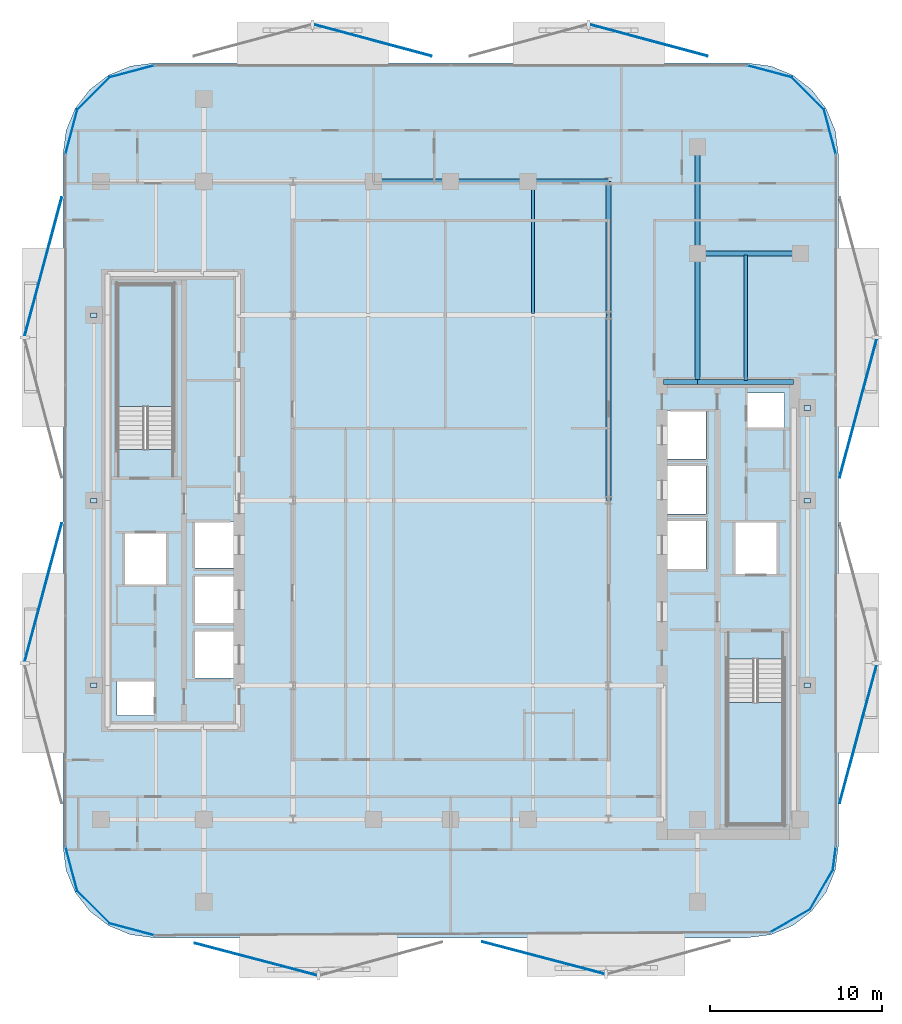
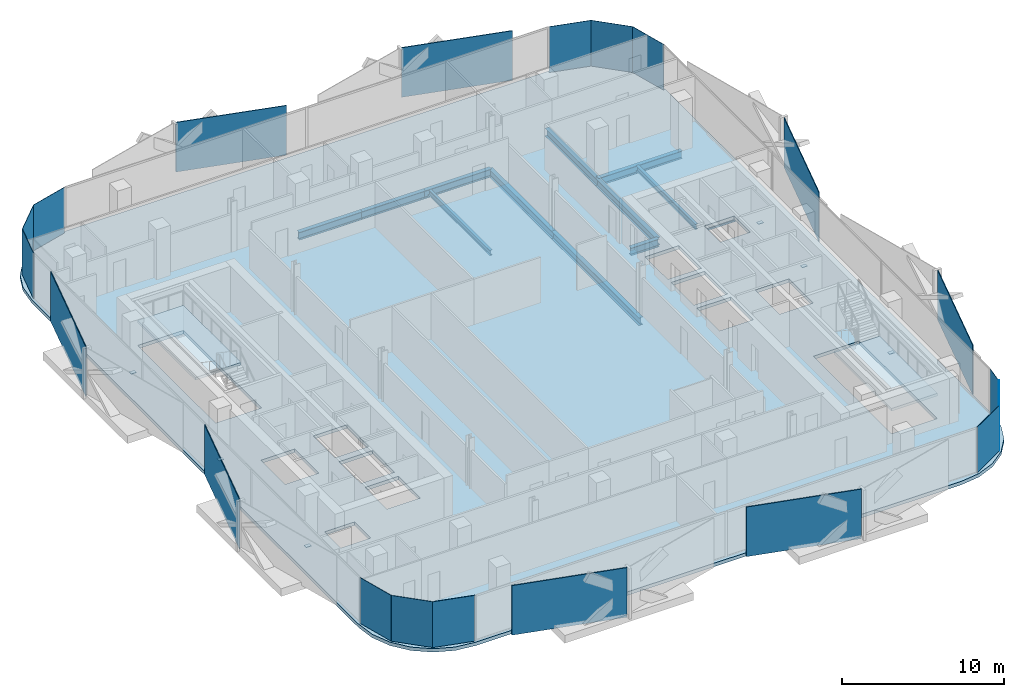
# One storey, part 2 of 17: 26 plates, 12 beams, 3 slabs, 2 elements without a shape of their own.
"""IFC4 building model written with IfcOpenShell, lengths in metres."""

import ifcopenshell
import ifcopenshell.guid

model = None  # the IFC model being written
_history = None  # IfcOwnerHistory: only IFC2X3 demands one
_inside = {}  # id of a spatial element -> (the spatial element, [elements in it])
_under = {}  # id of a project, library or spatial element -> (it, [spatial elements below it])
_declared = {}  # id of a project -> (the project, [libraries it declares])
_typed = {}  # id of a type object -> (the type object, [elements of that type])
_made_of = {}  # id of a material, layer set ... -> (it, [elements and type objects made of it])


def new_model(schema):
    """Start an empty IFC model of exactly this schema.

    Asked for "IFC4X3", IfcOpenShell would pick the latest addendum, in which some entities
    have other attributes; the version numbers below select the first issue.
    IFC2X3 requires an IfcOwnerHistory on every rooted entity: one is made here for all.
    """
    global model, _history
    if schema == "IFC4X3":
        model = ifcopenshell.file(schema_version=(4, 3, 0, 0))
    else:
        model = ifcopenshell.file(schema=schema)
    _inside.clear()
    _under.clear()
    _declared.clear()
    _typed.clear()
    _made_of.clear()
    _history = None
    if model.schema == "IFC2X3":
        org = make("IfcOrganization", Name="unknown")
        user = make(
            "IfcPersonAndOrganization",
            ThePerson=make("IfcPerson", FamilyName="unknown"),
            TheOrganization=org,
        )
        app = make(
            "IfcApplication",
            ApplicationDeveloper=org,
            Version="unknown",
            ApplicationFullName="unknown",
            ApplicationIdentifier="unknown",
        )
        _history = make(
            "IfcOwnerHistory",
            OwningUser=user,
            OwningApplication=app,
            ChangeAction="ADDED",
            CreationDate=0,
        )
    return model


def make(cls, **values):
    """One entity of the class cls with the attributes given. An attribute that is None is left unset."""
    return model.create_entity(
        cls, **{name: value for name, value in values.items() if value is not None}
    )


def rooted(cls, **values):
    """An entity with a GlobalId (a new one), such as an element, a storey or a relation."""
    return make(cls, GlobalId=ifcopenshell.guid.new(), OwnerHistory=_history, **values)


def si_unit(unit_type, name, prefix=None):
    """IfcSIUnit, for example si_unit("LENGTHUNIT", "METRE", prefix="MILLI")."""
    return make("IfcSIUnit", UnitType=unit_type, Prefix=prefix, Name=name)


def assignment(units):
    """IfcUnitAssignment: the units of a project."""
    return None if units is None else make("IfcUnitAssignment", Units=units)


def point(xyz):
    """IfcCartesianPoint."""
    return None if xyz is None else make("IfcCartesianPoint", Coordinates=xyz)


def direction(xyz):
    """IfcDirection."""
    return None if xyz is None else make("IfcDirection", DirectionRatios=xyz)


def frame(location, z_axis=None, x_axis=None):
    """IfcAxis2Placement3D, a coordinate frame: its origin and axes. An axis left out is left unset."""
    return make(
        "IfcAxis2Placement3D",
        Location=point(location),
        Axis=direction(z_axis),
        RefDirection=direction(x_axis),
    )


def frame_2d(location, x_axis=None):
    """IfcAxis2Placement2D, a coordinate frame in the plane: its origin and x axis."""
    return make(
        "IfcAxis2Placement2D", Location=point(location), RefDirection=direction(x_axis)
    )


def origin():
    """The frame at (0, 0, 0) with its axes left unset."""
    return frame((0.0, 0.0, 0.0))


def origin_2d():
    """The frame at (0, 0) in the plane with its x axis left unset."""
    return frame_2d((0.0, 0.0))


def place(relative_to, where):
    """IfcLocalPlacement: puts the frame where relative to a parent placement (None: the world)."""
    return make(
        "IfcLocalPlacement", PlacementRelTo=relative_to, RelativePlacement=where
    )


def context(
    kind, dimensions, precision=None, world=None, true_north=None, identifier=None
):
    """IfcGeometricRepresentationContext, for example the 3D "Model" context."""
    return make(
        "IfcGeometricRepresentationContext",
        ContextIdentifier=identifier,
        ContextType=kind,
        CoordinateSpaceDimension=dimensions,
        Precision=precision,
        WorldCoordinateSystem=world,
        TrueNorth=true_north,
    )


def subcontext(parent, identifier, kind, view, scale=None):
    """IfcGeometricRepresentationSubContext, for example "Body" below "Model"."""
    return make(
        "IfcGeometricRepresentationSubContext",
        ContextIdentifier=identifier,
        ContextType=kind,
        ParentContext=parent,
        TargetScale=scale,
        TargetView=view,
    )


def project(units=None, contexts=None):
    """IfcProject with its units and contexts."""
    return rooted(
        "IfcProject",
        Name="project",
        RepresentationContexts=contexts,
        UnitsInContext=assignment(units),
    )


def spatial(cls, under=None, at=None, **own):
    """A site, building, storey or space (cls), placed at a placement, below another one or the project."""
    s = rooted(cls, ObjectPlacement=at, **own)
    if under is not None:
        _under.setdefault(under.id(), (under, []))[1].append(s)
    return s


def polyline(points):
    """IfcPolyline through the points."""
    return make("IfcPolyline", Points=[point(p) for p in points])


def profile(cls, at=None, kind="AREA", **sizes):
    """A parametric profile (cls). Its sizes go by their IFC names, for example OverallWidth=200.0."""
    return make(cls, ProfileType=kind, Position=at, **sizes)


def rectangle(**sizes):
    """IfcRectangleProfileDef."""
    return profile("IfcRectangleProfileDef", **sizes)


def i_section(**sizes):
    """IfcIShapeProfileDef."""
    return profile("IfcIShapeProfileDef", **sizes)


def outline(outer, holes=None, kind="AREA"):
    """IfcArbitraryClosedProfileDef: a profile drawn as a closed curve; with holes, ...WithVoids."""
    if holes is None:
        return make("IfcArbitraryClosedProfileDef", ProfileType=kind, OuterCurve=outer)
    return make(
        "IfcArbitraryProfileDefWithVoids",
        ProfileType=kind,
        OuterCurve=outer,
        InnerCurves=holes,
    )


def extrude(swept, where, along, depth):
    """IfcExtrudedAreaSolid: the profile swept, set in the frame where, extruded along a direction by depth."""
    return make(
        "IfcExtrudedAreaSolid",
        SweptArea=swept,
        Position=where,
        ExtrudedDirection=direction(along),
        Depth=depth,
    )


def shape(context_of_items, identifier, shape_type, items):
    """IfcShapeRepresentation: the items that make up one representation, for example the "Body"."""
    return make(
        "IfcShapeRepresentation",
        ContextOfItems=context_of_items,
        RepresentationIdentifier=identifier,
        RepresentationType=shape_type,
        Items=items,
    )


def material(Name=None, Category=None):
    """IfcMaterial."""
    return make("IfcMaterial", Name=Name, Category=Category)


def layer(
    of_material, thickness, ventilated=None, Name=None, Category=None, Priority=None
):
    """IfcMaterialLayer: one layer of a wall or slab, of a material (None: an air gap)."""
    return make(
        "IfcMaterialLayer",
        Material=of_material,
        LayerThickness=thickness,
        IsVentilated=ventilated,
        Name=Name,
        Category=Category,
        Priority=Priority,
    )


def layer_set(layers, Name=None):
    """IfcMaterialLayerSet."""
    return make("IfcMaterialLayerSet", MaterialLayers=layers, LayerSetName=Name)


def material_profile(
    of_material, cross_section, Name=None, Category=None, Priority=None
):
    """IfcMaterialProfile: a cross section and its material."""
    return make(
        "IfcMaterialProfile",
        Name=Name,
        Material=of_material,
        Profile=cross_section,
        Priority=Priority,
        Category=Category,
    )


def profile_set(profiles, Name=None, composite=None):
    """IfcMaterialProfileSet."""
    return make(
        "IfcMaterialProfileSet",
        Name=Name,
        MaterialProfiles=profiles,
        CompositeProfile=composite,
    )


def made_of(thing, what):
    """Note that an element or type object is made of a material, layer set ...; save() writes the relation."""
    if what is not None:
        _made_of.setdefault(what.id(), (what, []))[1].append(thing)
    return thing


def type_object(cls, material=None, **own):
    """A type object (cls), such as IfcWallType, which elements share."""
    return made_of(rooted(cls, **own), material)


def element(
    cls,
    number,
    at=None,
    inside=None,
    cuts=None,
    type_object=None,
    material=None,
    context=None,
    identifier="Body",
    shape_type=None,
    held_by="IfcProductDefinitionShape",
    body=None,
    shapes=None,
    **own,
):
    """One element of the class cls, such as IfcWall. Its Tag is "e" and its number.

    at: its placement. inside: the storey or other place that contains it. cuts: it is an
    opening in that element (IfcRelVoidsElement). A single representation is given by context,
    identifier, shape_type and body (its items); several are given by shapes. held_by: the class
    of the entity that holds the representations. save() writes the other relations.
    """
    e = rooted(cls, Tag="e%d" % number, ObjectPlacement=at, **own)
    if body is not None:
        shapes = [shape(context, identifier, shape_type, body)]
    if shapes is not None:
        e.Representation = make(held_by, Representations=shapes)
    if inside is not None:
        _inside.setdefault(inside.id(), (inside, []))[1].append(e)
    if cuts is not None:
        rooted(
            "IfcRelVoidsElement", RelatingBuildingElement=cuts, RelatedOpeningElement=e
        )
    if type_object is not None:
        _typed.setdefault(type_object.id(), (type_object, []))[1].append(e)
    return made_of(e, material)


def aggregate(whole, parts):
    """IfcRelAggregates: a whole, such as a stair, and the parts it consists of."""
    return rooted("IfcRelAggregates", RelatingObject=whole, RelatedObjects=parts)


def save(model, path):
    """Write the relations noted so far, then the file.

    IfcRelAggregates (storeys below a building ...), IfcRelContainedInSpatialStructure (elements
    in a storey), IfcRelDefinesByType, IfcRelAssociatesMaterial and IfcRelDeclares: one each for
    every whole, place, type object, material and project.
    """
    for whole, parts in _under.values():
        aggregate(whole, parts)
    for where, things in _inside.values():
        rooted(
            "IfcRelContainedInSpatialStructure",
            RelatedElements=things,
            RelatingStructure=where,
        )
    for kind, things in _typed.values():
        rooted("IfcRelDefinesByType", RelatedObjects=things, RelatingType=kind)
    for what, things in _made_of.values():
        rooted("IfcRelAssociatesMaterial", RelatedObjects=things, RelatingMaterial=what)
    for by, libraries in _declared.values():
        rooted("IfcRelDeclares", RelatingContext=by, RelatedDefinitions=libraries)
    model.write(path)


model = new_model("IFC4")

# Units and contexts
model_context = context("Model", 3, precision=1e-05, world=origin(), true_north=direction((0.0, 1.0)))
body_context = subcontext(model_context, "Body", "Model", "MODEL_VIEW")
ifc_project = project(units=[si_unit("LENGTHUNIT", "METRE"), si_unit("AREAUNIT", "SQUARE_METRE"), si_unit("VOLUMEUNIT", "CUBIC_METRE"), si_unit("PLANEANGLEUNIT", "RADIAN"), si_unit("MASSUNIT", "GRAM", prefix="KILO")], contexts=[model_context])

# Site, building, storey
site_placement = place(None, origin())
site = spatial("IfcSite", under=ifc_project, at=site_placement, CompositionType="ELEMENT")
building_placement = place(site_placement, origin())
building = spatial("IfcBuilding", under=site, at=building_placement, Name="Khairoan Windgate Tower", CompositionType="ELEMENT")
storey_placement = place(building_placement, frame((0.0, 0.0, 210.60009765625)))
storey = spatial("IfcBuildingStorey", under=building, at=storey_placement, Name="L49", CompositionType="ELEMENT", Elevation=210.60009765625)

# Beams
ifc_material_1 = material(Name="Steel S355", Category="steel")
ifc_material_profile_1 = material_profile(ifc_material_1, i_section(OverallWidth=0.300048828125, OverallDepth=0.587890625, WebThickness=0.011962890625, FlangeThickness=0.02001953125, FilletRadius=0.02392578125, at=origin_2d()))
ifc_profile_set_1 = profile_set([ifc_material_profile_1], Name="Steel S355")
beam_type_1 = type_object("IfcBeamType", Name="Beam B-G4 H588x300x12x20", PredefinedType="BEAM", material=ifc_profile_set_1)
beam_1_placement = place(storey_placement, frame((12.39990234375, 6.89990234375, -0.55419921875), z_axis=(1.0, 0.0, 0.0), x_axis=(0.0, 1.0, 0.0)))
element("IfcBeam", 1, at=beam_1_placement, inside=storey, type_object=beam_type_1, Name="L49 E-W Primary Girder 15", PredefinedType="BEAM", context=body_context, shape_type="SweptSolid", body=[
    extrude(i_section(OverallWidth=0.300048828125, OverallDepth=0.587890625, WebThickness=0.011962890625, FlangeThickness=0.02001953125, FilletRadius=0.02392578125, at=origin_2d()), origin(), (0.0, 0.0, 1.0), 2.0),
])
beam_2_placement = place(storey_placement, frame((14.39990234375, 6.89990234375, -0.55419921875), z_axis=(1.0, 0.0, 0.0), x_axis=(0.0, 1.0, 0.0)))
element("IfcBeam", 2, at=beam_2_placement, inside=storey, type_object=beam_type_1, Name="L49 E-W Primary Girder 16", PredefinedType="BEAM", context=body_context, shape_type="SweptSolid", body=[
    extrude(i_section(OverallWidth=0.300048828125, OverallDepth=0.587890625, WebThickness=0.011962890625, FlangeThickness=0.02001953125, FilletRadius=0.02392578125, at=origin_2d()), origin(), (0.0, 0.0, 1.0), 5.60009765625),
])
beam_3_placement = place(storey_placement, frame((14.39990234375, 14.39990234375, -0.55419921875), z_axis=(1.0, 0.0, 0.0), x_axis=(0.0, 1.0, 0.0)))
element("IfcBeam", 3, at=beam_3_placement, inside=storey, type_object=beam_type_1, Name="L49 E-W Primary Girder 21", PredefinedType="BEAM", context=body_context, shape_type="SweptSolid", body=[
    extrude(i_section(OverallWidth=0.300048828125, OverallDepth=0.587890625, WebThickness=0.011962890625, FlangeThickness=0.02001953125, FilletRadius=0.02392578125, at=origin_2d()), origin(), (0.0, 0.0, 1.0), 6.0),
])
for number, where, z_axis, x_axis, name in (
    (4, (-4.5, 18.60009765625, -0.55419921875), (1.0, 0.0, 0.0), (0.0, 1.0, 0.0), "L49 E-W Primary Girder 25"),
    (5, (0.0, 18.60009765625, -0.55419921875), (1.0, 0.0, 0.0), (0.0, 1.0, 0.0), "L49 E-W Primary Girder 26"),
):
    element("IfcBeam", number, at=place(storey_placement, frame(where, z_axis=z_axis, x_axis=x_axis)), inside=storey, type_object=beam_type_1, Name=name, PredefinedType="BEAM", context=body_context, shape_type="SweptSolid", body=[
        extrude(i_section(OverallWidth=0.300048828125, OverallDepth=0.587890625, WebThickness=0.011962890625, FlangeThickness=0.02001953125, FilletRadius=0.02392578125, at=origin_2d()), origin(), (0.0, 0.0, 1.0), 4.5),
    ])
beam_4_placement = place(storey_placement, frame((4.5, 18.60009765625, -0.55419921875), z_axis=(1.0, 0.0, 0.0), x_axis=(0.0, 1.0, 0.0)))
element("IfcBeam", 6, at=beam_4_placement, inside=storey, type_object=beam_type_1, Name="L49 E-W Primary Girder 27", PredefinedType="BEAM", context=body_context, shape_type="SweptSolid", body=[
    extrude(i_section(OverallWidth=0.300048828125, OverallDepth=0.587890625, WebThickness=0.011962890625, FlangeThickness=0.02001953125, FilletRadius=0.02392578125, at=origin_2d()), origin(), (0.0, 0.0, 1.0), 4.699951171875),
])
beam_5_placement = place(storey_placement, frame((9.199951171875, 0.0, -0.55419921875), z_axis=(0.0, 1.0, 0.0), x_axis=(-1.0, 0.0, 0.0)))
element("IfcBeam", 7, at=beam_5_placement, inside=storey, type_object=beam_type_1, Name="L49 N-S Primary Beam 47", PredefinedType="BEAM", context=body_context, shape_type="SweptSolid", body=[
    extrude(i_section(OverallWidth=0.300048828125, OverallDepth=0.587890625, WebThickness=0.011962890625, FlangeThickness=0.02001953125, FilletRadius=0.02392578125, at=origin_2d()), origin(), (0.0, 0.0, 1.0), 10.800048828125),
])
beam_6_placement = place(storey_placement, frame((9.199951171875, 10.800048828125, -0.55419921875), z_axis=(0.0, 1.0, 0.0), x_axis=(-1.0, 0.0, 0.0)))
element("IfcBeam", 8, at=beam_6_placement, inside=storey, type_object=beam_type_1, Name="L49 N-S Primary Beam 48", PredefinedType="BEAM", context=body_context, shape_type="SweptSolid", body=[
    extrude(i_section(OverallWidth=0.300048828125, OverallDepth=0.587890625, WebThickness=0.011962890625, FlangeThickness=0.02001953125, FilletRadius=0.02392578125, at=origin_2d()), origin(), (0.0, 0.0, 1.0), 7.800048828125),
])
beam_7_placement = place(storey_placement, frame((14.39990234375, 6.89990234375, -0.55419921875), z_axis=(0.0, 1.0, 0.0), x_axis=(-1.0, 0.0, 0.0)))
element("IfcBeam", 9, at=beam_7_placement, inside=storey, type_object=beam_type_1, Name="L49 N-S Primary Beam 51", PredefinedType="BEAM", context=body_context, shape_type="SweptSolid", body=[
    extrude(i_section(OverallWidth=0.300048828125, OverallDepth=0.587890625, WebThickness=0.011962890625, FlangeThickness=0.02001953125, FilletRadius=0.02392578125, at=origin_2d()), origin(), (0.0, 0.0, 1.0), 7.5),
])
beam_8_placement = place(storey_placement, frame((14.39990234375, 14.39990234375, -0.55419921875), z_axis=(0.0, 1.0, 0.0), x_axis=(-1.0, 0.0, 0.0)))
element("IfcBeam", 10, at=beam_8_placement, inside=storey, type_object=beam_type_1, Name="L49 N-S Primary Beam 52", PredefinedType="BEAM", context=body_context, shape_type="SweptSolid", body=[
    extrude(i_section(OverallWidth=0.300048828125, OverallDepth=0.587890625, WebThickness=0.011962890625, FlangeThickness=0.02001953125, FilletRadius=0.02392578125, at=origin_2d()), origin(), (0.0, 0.0, 1.0), 6.2001953125),
])
ifc_material_2 = material(Name="Steel S355", Category="steel")
ifc_material_profile_2 = material_profile(ifc_material_2, i_section(OverallWidth=0.199951171875, OverallDepth=0.39990234375, WebThickness=0.008056640625, FlangeThickness=0.012939453125, FilletRadius=0.01611328125, at=origin_2d()))
ifc_profile_set_2 = profile_set([ifc_material_profile_2], Name="Steel S355")
beam_type_2 = type_object("IfcBeamType", Name="Beam J-S4 H400x200x8x13", PredefinedType="JOIST", material=ifc_profile_set_2)
beam_9_placement = place(storey_placement, frame((4.800048828125, 10.889892578125, -0.460205078125), z_axis=(0.0, 1.0, 0.0), x_axis=(-1.0, 0.0, 0.0)))
element("IfcBeam", 11, at=beam_9_placement, inside=storey, type_object=beam_type_2, Name="L49 Secondary Floor Joist 10", PredefinedType="JOIST", context=body_context, shape_type="SweptSolid", body=[
    extrude(i_section(OverallWidth=0.199951171875, OverallDepth=0.39990234375, WebThickness=0.008056640625, FlangeThickness=0.012939453125, FilletRadius=0.01611328125, at=origin_2d()), origin(), (0.0, 0.0, 1.0), 7.6201171875),
])
beam_10_placement = place(storey_placement, frame((17.199951171875, 6.989990234375, -0.460205078125), z_axis=(0.0, 1.0, 0.0), x_axis=(-1.0, 0.0, 0.0)))
element("IfcBeam", 12, at=beam_10_placement, inside=storey, type_object=beam_type_2, Name="L49 Secondary Floor Joist 11", PredefinedType="JOIST", context=body_context, shape_type="SweptSolid", body=[
    extrude(i_section(OverallWidth=0.199951171875, OverallDepth=0.39990234375, WebThickness=0.008056640625, FlangeThickness=0.012939453125, FilletRadius=0.01611328125, at=origin_2d()), origin(), (0.0, 0.0, 1.0), 7.320068359375),
])

# Plates
ifc_material_3 = material(Name="Low-E Solar Control Laminated Glass", Category="glass")
ifc_layer_1 = layer(ifc_material_3, 0.030029296875, Name="Low-E Solar Control Laminated Glass")
ifc_layer_set_1 = layer_set([ifc_layer_1], Name="Low-E Solar Control Laminated Glass")
plate_type_1 = type_object("IfcPlateType", Name="Aerodynamic Wind-Corner Curved Glazing Plate", PredefinedType="USERDEFINED", material=ifc_layer_set_1)
plate_1_placement = place(storey_placement, frame((-18.585205078125, -25.013916015625, 0.0), z_axis=(0.0, 0.0, 1.0), x_axis=(-0.966061211211, 0.258313252067, 0.0)))
element("IfcPlate", 13, at=plate_1_placement, inside=storey, type_object=plate_type_1, Name="L49 Aerodynamic Wind-Corner Curved Glazing Panel 2", ObjectType="GLAZING PANEL", PredefinedType="USERDEFINED", context=body_context, shape_type="SweptSolid", body=[
    extrude(rectangle(XDim=2.719482421875, YDim=0.030029296875, at=origin_2d()), origin(), (0.0, 0.0, 1.0), 3.449951171875),
])
plate_2_placement = place(storey_placement, frame((-20.823486328125, -23.723388671875, 0.0), z_axis=(0.0, 0.0, 1.0), x_axis=(-0.707106781187, 0.707106781187, 0.0)))
element("IfcPlate", 14, at=plate_2_placement, inside=storey, type_object=plate_type_1, Name="L49 Aerodynamic Wind-Corner Curved Glazing Panel 3", ObjectType="GLAZING PANEL", PredefinedType="USERDEFINED", context=body_context, shape_type="SweptSolid", body=[
    extrude(rectangle(XDim=2.710205078125, YDim=0.030029296875, at=origin_2d()), origin(), (0.0, 0.0, 1.0), 3.449951171875),
])
for number, where, z_axis, x_axis, name in (
    (15, (-22.11376953125, -21.485107421875, 0.0), (0.0, 0.0, 1.0), (-0.258313252067, 0.966061211211, 0.0), "L49 Aerodynamic Wind-Corner Curved Glazing Panel 4"),
    (16, (-22.11376953125, 21.485107421875, 0.0), (0.0, 0.0, 1.0), (0.258313252067, 0.966061211211, 0.0), "L49 Aerodynamic Wind-Corner Curved Glazing Panel 6"),
):
    element("IfcPlate", number, at=place(storey_placement, frame(where, z_axis=z_axis, x_axis=x_axis)), inside=storey, type_object=plate_type_1, Name=name, ObjectType="GLAZING PANEL", PredefinedType="USERDEFINED", context=body_context, shape_type="SweptSolid", body=[
        extrude(rectangle(XDim=2.719482421875, YDim=0.030029296875, at=origin_2d()), origin(), (0.0, 0.0, 1.0), 3.449951171875),
    ])
plate_3_placement = place(storey_placement, frame((-20.823486328125, 23.723388671875, 0.0), z_axis=(0.0, 0.0, 1.0), x_axis=(0.707106781187, 0.707106781187, 0.0)))
element("IfcPlate", 17, at=plate_3_placement, inside=storey, type_object=plate_type_1, Name="L49 Aerodynamic Wind-Corner Curved Glazing Panel 7", ObjectType="GLAZING PANEL", PredefinedType="USERDEFINED", context=body_context, shape_type="SweptSolid", body=[
    extrude(rectangle(XDim=2.710205078125, YDim=0.030029296875, at=origin_2d()), origin(), (0.0, 0.0, 1.0), 3.449951171875),
])
for number, where, z_axis, x_axis, name in (
    (18, (-18.585205078125, 25.013916015625, 0.0), (0.0, 0.0, 1.0), (0.966061211211, 0.258313252067, 0.0), "L49 Aerodynamic Wind-Corner Curved Glazing Panel 8"),
    (19, (18.585205078125, 25.013916015625, 0.0), (0.0, 0.0, 1.0), (0.966061211211, -0.258313252067, 0.0), "L49 Aerodynamic Wind-Corner Curved Glazing Panel 10"),
):
    element("IfcPlate", number, at=place(storey_placement, frame(where, z_axis=z_axis, x_axis=x_axis)), inside=storey, type_object=plate_type_1, Name=name, ObjectType="GLAZING PANEL", PredefinedType="USERDEFINED", context=body_context, shape_type="SweptSolid", body=[
        extrude(rectangle(XDim=2.719482421875, YDim=0.030029296875, at=origin_2d()), origin(), (0.0, 0.0, 1.0), 3.449951171875),
    ])
plate_4_placement = place(storey_placement, frame((20.823486328125, 23.723388671875, 0.0), z_axis=(0.0, 0.0, 1.0), x_axis=(0.707106781187, -0.707106781187, 0.0)))
element("IfcPlate", 20, at=plate_4_placement, inside=storey, type_object=plate_type_1, Name="L49 Aerodynamic Wind-Corner Curved Glazing Panel 11", ObjectType="GLAZING PANEL", PredefinedType="USERDEFINED", context=body_context, shape_type="SweptSolid", body=[
    extrude(rectangle(XDim=2.710205078125, YDim=0.030029296875, at=origin_2d()), origin(), (0.0, 0.0, 1.0), 3.449951171875),
])
plate_5_placement = place(storey_placement, frame((22.11376953125, 21.485107421875, 0.0), z_axis=(0.0, 0.0, 1.0), x_axis=(0.258313252067, -0.966061211211, 0.0)))
element("IfcPlate", 21, at=plate_5_placement, inside=storey, type_object=plate_type_1, Name="L49 Aerodynamic Wind-Corner Curved Glazing Panel 12", ObjectType="GLAZING PANEL", PredefinedType="USERDEFINED", context=body_context, shape_type="SweptSolid", body=[
    extrude(rectangle(XDim=2.719482421875, YDim=0.030029296875, at=origin_2d()), origin(), (0.0, 0.0, 1.0), 3.449951171875),
])
plate_6_placement = place(storey_placement, frame((22.37158203125, -20.863037109375, 0.0), z_axis=(0.0, 0.0, 1.0), x_axis=(-0.13052619222, -0.991444861374, 0.0)))
element("IfcPlate", 22, at=plate_6_placement, inside=storey, type_object=plate_type_1, Name="L49 Aerodynamic Wind-Corner Curved Glazing Panel 14", ObjectType="GLAZING PANEL", PredefinedType="USERDEFINED", context=body_context, shape_type="SweptSolid", body=[
    extrude(rectangle(XDim=1.39599609375, YDim=0.030029296875, at=origin_2d()), origin(), (0.0, 0.0, 1.0), 3.449951171875),
])
for number, where, z_axis, x_axis, name in (
    (23, (21.615478515625, -22.69140625, 0.0), (0.0, 0.0, 1.0), (-0.5, -0.866025403784, 0.0), "L49 Aerodynamic Wind-Corner Curved Glazing Panel 15"),
    (24, (19.79150390625, -24.515380859375, 0.0), (0.0, 0.0, 1.0), (-0.866025403784, -0.5, 0.0), "L49 Aerodynamic Wind-Corner Curved Glazing Panel 16"),
):
    element("IfcPlate", number, at=place(storey_placement, frame(where, z_axis=z_axis, x_axis=x_axis)), inside=storey, type_object=plate_type_1, Name=name, ObjectType="GLAZING PANEL", PredefinedType="USERDEFINED", context=body_context, shape_type="SweptSolid", body=[
        extrude(rectangle(XDim=2.71044921875, YDim=0.030029296875, at=origin_2d()), origin(), (0.0, 0.0, 1.0), 3.449951171875),
    ])
ifc_material_4 = material(Name="Steel S355", Category="steel")
ifc_layer_2 = layer(ifc_material_4, 0.0400390625, Name="Steel S355")
ifc_layer_set_2 = layer_set([ifc_layer_2], Name="Steel S355")
plate_type_2 = type_object("IfcPlateType", Name="Hollow Section End-Cap Plate PL-CAP40", PredefinedType="SHEET", material=ifc_layer_set_2)
for number, where, z_axis, x_axis, name in (
    (25, (-20.800048828125, -10.784912109375, -0.455078125), (0.0, 0.0, 1.0), (0.0, 1.0, 0.0), "BM-SP-L49-028 steel end-cap plate 1"),
    (26, (-20.800048828125, -0.014892578125, -0.455078125), (0.0, 0.0, 1.0), (0.0, 1.0, 0.0), "BM-SP-L49-028 steel end-cap plate 2"),
    (27, (-20.800048828125, 10.784912109375, -0.455078125), (0.0, 0.0, 1.0), (0.0, 1.0, 0.0), "BM-SP-L49-029 steel end-cap plate 2"),
    (28, (20.800048828125, -10.784912109375, -0.455078125), (0.0, 0.0, 1.0), (0.0, 1.0, 0.0), "BM-SP-L49-056 steel end-cap plate 1"),
    (29, (20.800048828125, -0.014892578125, -0.455078125), (0.0, 0.0, 1.0), (0.0, 1.0, 0.0), "BM-SP-L49-056 steel end-cap plate 2"),
    (30, (20.800048828125, 5.385009765625, -0.455078125), (0.0, 0.0, 1.0), (0.0, 1.0, 0.0), "BM-SP-L49-057 steel end-cap plate 2"),
):
    element("IfcPlate", number, at=place(storey_placement, frame(where, z_axis=z_axis, x_axis=x_axis)), inside=storey, type_object=plate_type_2, Name=name, PredefinedType="SHEET", context=body_context, shape_type="SweptSolid", body=[
        extrude(rectangle(XDim=0.27001953125, YDim=0.3701171875, at=origin_2d()), origin(), (0.0, 0.0, 1.0), 0.0400390625),
    ])
ifc_material_5 = material(Name="Anodised Bronze Aluminium 6063-T6", Category="aluminium")
ifc_layer_3 = layer(ifc_material_5, 0.054931640625, Name="Anodised Bronze Aluminium 6063-T6")
ifc_layer_set_3 = layer_set([ifc_layer_3], Name="Anodised Bronze Aluminium 6063-T6")
plate_type_3 = type_object("IfcPlateType", Name="Perforated Bronze Solar Screen Panel BSP-1", PredefinedType="USERDEFINED", material=ifc_layer_set_3)
for number, where, z_axis, x_axis, name in (
    (31, (5.408447265625, -26.673583984375, -0.10009765625), (0.0, 0.0, 1.0), (-0.967179115616, 0.254095569259, 0.0), "L49 Perforated Bronze Solar Screen Panel 329R"),
    (32, (-11.3544921875, -26.756103515625, -0.10009765625), (0.0, 0.0, 1.0), (-0.967179115616, 0.254095569259, 0.0), "L49 Perforated Bronze Solar Screen Panel 330R"),
):
    element("IfcPlate", number, at=place(storey_placement, frame(where, z_axis=z_axis, x_axis=x_axis)), inside=storey, type_object=plate_type_3, Name=name, ObjectType="SCREEN", PredefinedType="USERDEFINED", context=body_context, shape_type="SweptSolid", body=[
        extrude(rectangle(XDim=7.3759765625, YDim=0.054931640625, at=origin_2d()), origin(), (0.0, 0.0, 1.0), 3.739990234375),
    ])
for number, where, z_axis, x_axis, name in (
    (33, (-23.7587890625, -5.369873046875, -0.10009765625), (0.0, 0.0, 1.0), (0.258819045103, 0.965925826289, 0.0), "L49 Perforated Bronze Solar Screen Panel 331R"),
    (34, (-23.7587890625, 13.62109375, -0.10009765625), (0.0, 0.0, 1.0), (0.258819045103, 0.965925826289, 0.0), "L49 Perforated Bronze Solar Screen Panel 332R"),
):
    element("IfcPlate", number, at=place(storey_placement, frame(where, z_axis=z_axis, x_axis=x_axis)), inside=storey, type_object=plate_type_3, Name=name, ObjectType="SCREEN", PredefinedType="USERDEFINED", context=body_context, shape_type="SweptSolid", body=[
        extrude(rectangle(XDim=8.35595703125, YDim=0.054931640625, at=origin_2d()), origin(), (0.0, 0.0, 1.0), 3.739990234375),
    ])
for number, where, z_axis, x_axis, name in (
    (35, (-4.535888671875, 26.82373046875, -0.10009765625), (0.0, 0.0, 1.0), (0.965925826289, -0.258819045103, 0.0), "L49 Perforated Bronze Solar Screen Panel 333R"),
    (36, (11.5546875, 26.82373046875, -0.10009765625), (0.0, 0.0, 1.0), (0.965925826289, -0.258819045103, 0.0), "L49 Perforated Bronze Solar Screen Panel 334R"),
):
    element("IfcPlate", number, at=place(storey_placement, frame(where, z_axis=z_axis, x_axis=x_axis)), inside=storey, type_object=plate_type_3, Name=name, ObjectType="SCREEN", PredefinedType="USERDEFINED", context=body_context, shape_type="SweptSolid", body=[
        extrude(rectangle(XDim=7.080078125, YDim=0.054931640625, at=origin_2d()), origin(), (0.0, 0.0, 1.0), 3.739990234375),
    ])
for number, where, z_axis, x_axis, name in (
    (37, (23.7587890625, 5.369873046875, -0.10009765625), (0.0, 0.0, 1.0), (-0.258819045103, -0.965925826289, 0.0), "L49 Perforated Bronze Solar Screen Panel 335R"),
    (38, (23.7587890625, -13.62109375, -0.10009765625), (0.0, 0.0, 1.0), (-0.258819045103, -0.965925826289, 0.0), "L49 Perforated Bronze Solar Screen Panel 336R"),
):
    element("IfcPlate", number, at=place(storey_placement, frame(where, z_axis=z_axis, x_axis=x_axis)), inside=storey, type_object=plate_type_3, Name=name, ObjectType="SCREEN", PredefinedType="USERDEFINED", context=body_context, shape_type="SweptSolid", body=[
        extrude(rectangle(XDim=8.35595703125, YDim=0.054931640625, at=origin_2d()), origin(), (0.0, 0.0, 1.0), 3.739990234375),
    ])

# Stair, slab
ifc_material_6 = material(Name="Concrete C40/50", Category="concrete")
stair_type = type_object("IfcStairType", Name="Tower Core Dog-Leg Stair ST-T1 1560mm", PredefinedType="HALF_TURN_STAIR", material=ifc_material_6)
stair_1_placement = place(storey_placement, origin())
stair_1 = element("IfcStair", 39, at=stair_1_placement, inside=storey, type_object=stair_type, Name="L49 Stair ST1", PredefinedType="HALF_TURN_STAIR")
ifc_material_7 = material(Name="Concrete C40/50", Category="concrete")
ifc_layer_4 = layer(ifc_material_7, 0.199951171875, Name="Concrete C40/50")
ifc_layer_set_4 = layer_set([ifc_layer_4], Name="Concrete C40/50")
slab_type_1 = type_object("IfcSlabType", Name="Reinforced Concrete Stair Landing Slab STL-200", PredefinedType="LANDING", material=ifc_layer_set_4)
slab_1_placement = place(storey_placement, frame((0.0, 0.0, 1.699951171875)))
slab_1 = element("IfcSlab", 40, at=slab_1_placement, type_object=slab_type_1, Name="ST1 landing 1", PredefinedType="LANDING", context=body_context, shape_type="SweptSolid", body=[
    extrude(outline(polyline([(16.14990234375, -11.780029296875), (16.14990234375, -18.89990234375), (19.419921875, -18.89990234375), (19.419921875, -11.780029296875), (16.14990234375, -11.780029296875)])), origin(), (0.0, 0.0, 1.0), 0.199951171875),
])
aggregate(stair_1, [slab_1])

stair_2_placement = place(storey_placement, origin())
stair_2 = element("IfcStair", 41, at=stair_2_placement, inside=storey, type_object=stair_type, Name="L49 Stair ST2", PredefinedType="HALF_TURN_STAIR")
slab_2_placement = place(storey_placement, frame((0.0, 0.0, 1.699951171875)))
slab_2 = element("IfcSlab", 42, at=slab_2_placement, type_object=slab_type_1, Name="ST2 landing 1", PredefinedType="LANDING", context=body_context, shape_type="SweptSolid", body=[
    extrude(outline(polyline([(-16.14990234375, 5.47998046875), (-16.14990234375, 12.60009765625), (-19.419921875, 12.60009765625), (-19.419921875, 5.47998046875), (-16.14990234375, 5.47998046875)])), origin(), (0.0, 0.0, 1.0), 0.199951171875),
])
aggregate(stair_2, [slab_2])

# Slab
ifc_material_8 = material(Name="Concrete C40/50", Category="concrete")
ifc_layer_5 = layer(ifc_material_8, 0.260009765625, Name="Concrete C40/50")
ifc_layer_set_5 = layer_set([ifc_layer_5], Name="Concrete C40/50")
slab_type_2 = type_object("IfcSlabType", Name="Tower Composite Floor Slab FS2 260mm", PredefinedType="FLOOR", material=ifc_layer_set_5)
slab_3_placement = place(storey_placement, frame((0.0, 0.0, -0.260009765625)))
element("IfcSlab", 43, at=slab_3_placement, inside=storey, type_object=slab_type_2, Name="L49 Structural Floor Slab", PredefinedType="FLOOR", context=body_context, shape_type="SweptSolid", body=[
    extrude(outline(polyline([(17.300048828125, -25.5), (18.671630859375, -25.3193359375), (19.949951171875, -24.789794921875), (21.047607421875, -23.94775390625), (21.889892578125, -22.85009765625), (22.41943359375, -21.57177734375), (22.60009765625, -20.199951171875), (22.60009765625, 20.199951171875), (22.41943359375, 21.57177734375), (21.889892578125, 22.85009765625), (21.047607421875, 23.94775390625), (19.949951171875, 24.789794921875), (18.671630859375, 25.3193359375), (17.300048828125, 25.5), (-17.300048828125, 25.5), (-18.671630859375, 25.3193359375), (-19.949951171875, 24.789794921875), (-21.047607421875, 23.94775390625), (-21.889892578125, 22.85009765625), (-22.41943359375, 21.57177734375), (-22.60009765625, 20.199951171875), (-22.60009765625, -20.199951171875), (-22.41943359375, -21.57177734375), (-21.889892578125, -22.85009765625), (-21.047607421875, -23.94775390625), (-19.949951171875, -24.789794921875), (-18.671630859375, -25.3193359375), (-17.300048828125, -25.5), (17.300048828125, -25.5)]), holes=[polyline([(16.14990234375, -9.260009765625), (16.14990234375, -18.89990234375), (19.419921875, -18.89990234375), (19.419921875, -9.260009765625), (16.14990234375, -9.260009765625)]), polyline([(-16.14990234375, 2.9599609375), (-16.14990234375, 12.60009765625), (-19.419921875, 12.60009765625), (-19.419921875, 2.9599609375), (-16.14990234375, 2.9599609375)]), polyline([(-14.89990234375, -3.949951171875), (-12.5, -3.949951171875), (-12.5, -1.25), (-14.89990234375, -1.25), (-14.89990234375, -3.949951171875)]), polyline([(-14.89990234375, -7.14990234375), (-12.5, -7.14990234375), (-12.5, -4.449951171875), (-14.89990234375, -4.449951171875), (-14.89990234375, -7.14990234375)]), polyline([(-14.89990234375, -10.35009765625), (-12.5, -10.35009765625), (-12.5, -7.64990234375), (-14.89990234375, -7.64990234375), (-14.89990234375, -10.35009765625)]), polyline([(12.5, 2.39990234375), (14.89990234375, 2.39990234375), (14.89990234375, 5.199951171875), (12.5, 5.199951171875), (12.5, 2.39990234375)]), polyline([(12.5, -0.800048828125), (14.89990234375, -0.800048828125), (14.89990234375, 2.0), (12.5, 2.0), (12.5, -0.800048828125)]), polyline([(12.5, -4.0), (14.89990234375, -4.0), (14.89990234375, -1.199951171875), (12.5, -1.199951171875), (12.5, -4.0)]), polyline([(16.60009765625, -4.300048828125), (19.0, -4.300048828125), (19.0, -1.300048828125), (16.60009765625, -1.300048828125), (16.60009765625, -4.300048828125)]), polyline([(-19.0, -4.89990234375), (-16.60009765625, -4.89990234375), (-16.60009765625, -1.89990234375), (-19.0, -1.89990234375), (-19.0, -4.89990234375)]), polyline([(-19.449951171875, -12.550048828125), (-17.31005859375, -12.550048828125), (-17.31005859375, -10.550048828125), (-19.449951171875, -10.550048828125), (-19.449951171875, -12.550048828125)]), polyline([(17.31005859375, 4.25), (19.449951171875, 4.25), (19.449951171875, 6.25), (17.31005859375, 6.25), (17.31005859375, 4.25)])]), origin(), (0.0, 0.0, 1.0), 0.260009765625),
])

save(model, "model.ifc")
